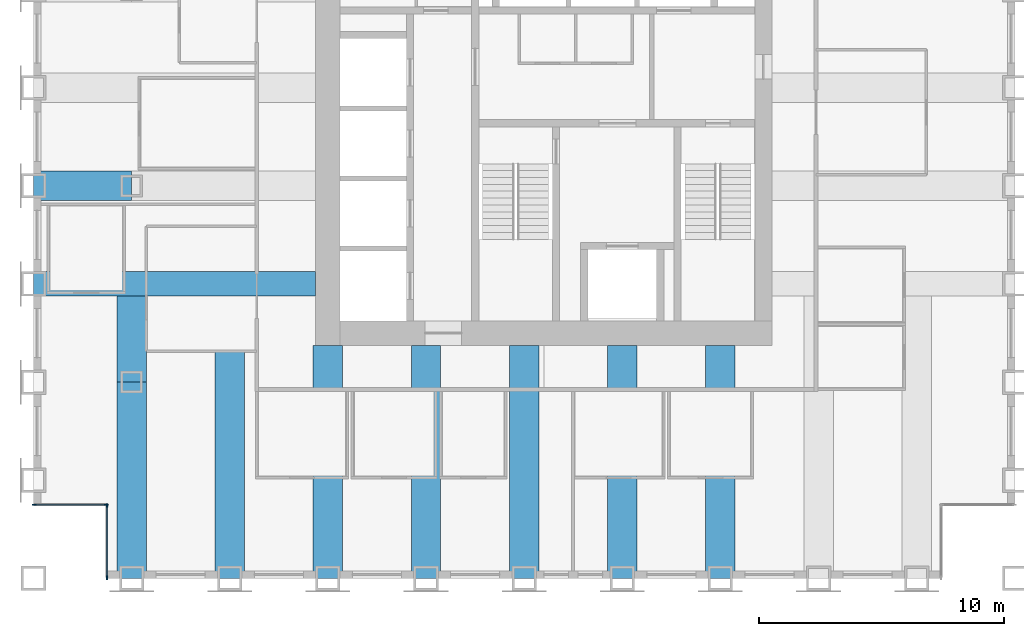
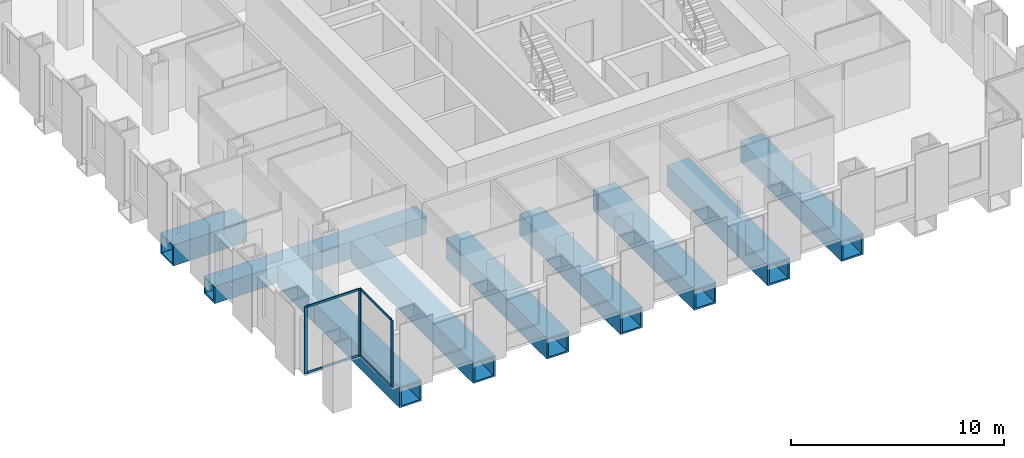
# One storey, part 2 of 13: 10 beams, 8 members, 2 elements without a shape of their own.
"""IFC4 building model written with IfcOpenShell, lengths in metres."""

from ifc_helpers import new_model, si_unit, direction, frame, origin, origin_2d, place, context, subcontext, project, spatial, rectangle, hollow_rectangle, extrude, material, material_profile, profile_set, type_object, element, aggregate, save


model = new_model("IFC4")

# Units and contexts
model_context = context("Model", 3, precision=1e-05, world=origin(), true_north=direction((0.0, 1.0)))
body_context = subcontext(model_context, "Body", "Model", "MODEL_VIEW")
ifc_project = project(units=[si_unit("LENGTHUNIT", "METRE"), si_unit("AREAUNIT", "SQUARE_METRE"), si_unit("VOLUMEUNIT", "CUBIC_METRE"), si_unit("PLANEANGLEUNIT", "RADIAN"), si_unit("MASSUNIT", "GRAM", prefix="KILO")], contexts=[model_context])

# Site, building, storey
site_placement = place(None, origin())
site = spatial("IfcSite", under=ifc_project, at=site_placement, CompositionType="ELEMENT")
building_placement = place(site_placement, origin())
building = spatial("IfcBuilding", under=site, at=building_placement, Name="Rimbunsela Tower", CompositionType="ELEMENT")
storey_placement = place(building_placement, frame((0.0, 0.0, 175.800048828125)))
storey = spatial("IfcBuildingStorey", under=building, at=storey_placement, Name="L42", CompositionType="ELEMENT", Elevation=175.800048828125)

# Beams
ifc_material_1 = material(Name="Steel BJ 55 (fy 410 MPa)", Category="steel")
ifc_material_profile_1 = material_profile(ifc_material_1, hollow_rectangle(XDim=1.0, YDim=1.0, WallThickness=0.10009765625, at=origin_2d()), Name="BOX 1000x1000x100")
ifc_profile_set_1 = profile_set([ifc_material_profile_1], Name="Steel BJ 55 (fy 410 MPa)")
beam_type_1 = type_object("IfcBeamType", Name="Beam BOX 1000x1000x100", PredefinedType="BEAM", material=ifc_profile_set_1)
beam_1_placement = place(storey_placement, frame((6.0, 20.0, -0.650146484375), z_axis=(1.0, 0.0, 0.0), x_axis=(0.0, 1.0, 0.0)))
element("IfcBeam", 1, at=beam_1_placement, inside=storey, type_object=beam_type_1, Name="Beam B3 L42", PredefinedType="BEAM", context=body_context, shape_type="SweptSolid", body=[
    extrude(hollow_rectangle(XDim=1.0, YDim=1.0, WallThickness=0.10009765625, at=origin_2d()), origin(), (0.0, 0.0, 1.0), 11.5),
])
ifc_material_2 = material(Name="Steel BJ 55 (fy 410 MPa)", Category="steel")
ifc_material_profile_2 = material_profile(ifc_material_2, hollow_rectangle(XDim=1.199951171875, YDim=1.199951171875, WallThickness=0.10009765625, at=origin_2d()), Name="BOX 1200x1200x100")
ifc_profile_set_2 = profile_set([ifc_material_profile_2], Name="Steel BJ 55 (fy 410 MPa)")
beam_type_2 = type_object("IfcBeamType", Name="Beam BOX 1200x1200x100", PredefinedType="BEAM", material=ifc_profile_set_2)
beam_2_placement = place(storey_placement, frame((6.0, 24.0, -0.75), z_axis=(1.0, 0.0, 0.0), x_axis=(0.0, 1.0, 0.0)))
element("IfcBeam", 2, at=beam_2_placement, inside=storey, type_object=beam_type_2, Name="Beam B5 L42", PredefinedType="BEAM", context=body_context, shape_type="SweptSolid", body=[
    extrude(hollow_rectangle(XDim=1.199951171875, YDim=1.199951171875, WallThickness=0.10009765625, at=origin_2d()), origin(), (0.0, 0.0, 1.0), 4.0),
])
beam_3_placement = place(storey_placement, frame((10.0, 8.0, -0.75), z_axis=(0.0, 1.0, 0.0), x_axis=(-1.0, 0.0, 0.0)))
element("IfcBeam", 3, at=beam_3_placement, inside=storey, type_object=beam_type_2, Name="Beam B5 L42", PredefinedType="BEAM", context=body_context, shape_type="SweptSolid", body=[
    extrude(hollow_rectangle(XDim=1.199951171875, YDim=1.199951171875, WallThickness=0.10009765625, at=origin_2d()), origin(), (0.0, 0.0, 1.0), 8.0),
])
beam_4_placement = place(storey_placement, frame((10.0, 16.0, -0.75), z_axis=(0.0, 1.0, 0.0), x_axis=(-1.0, 0.0, 0.0)))
element("IfcBeam", 4, at=beam_4_placement, inside=storey, type_object=beam_type_2, Name="Beam B5 L42", PredefinedType="BEAM", context=body_context, shape_type="SweptSolid", body=[
    extrude(hollow_rectangle(XDim=1.199951171875, YDim=1.199951171875, WallThickness=0.10009765625, at=origin_2d()), origin(), (0.0, 0.0, 1.0), 3.5),
])
beam_5_placement = place(storey_placement, frame((14.0, 8.0, -0.75), z_axis=(0.0, 1.0, 0.0), x_axis=(-1.0, 0.0, 0.0)))
element("IfcBeam", 5, at=beam_5_placement, inside=storey, type_object=beam_type_2, Name="Beam B5 L42", PredefinedType="BEAM", context=body_context, shape_type="SweptSolid", body=[
    extrude(hollow_rectangle(XDim=1.199951171875, YDim=1.199951171875, WallThickness=0.10009765625, at=origin_2d()), origin(), (0.0, 0.0, 1.0), 11.5),
])
for number, where, z_axis, x_axis, name in (
    (6, (18.0, 8.0, -0.75), (0.0, 1.0, 0.0), (-1.0, 0.0, 0.0), "Beam B5 L42"),
    (7, (22.0, 8.0, -0.75), (0.0, 1.0, 0.0), (-1.0, 0.0, 0.0), "Beam B5 L42"),
    (8, (26.0, 8.0, -0.75), (0.0, 1.0, 0.0), (-1.0, 0.0, 0.0), "Beam B5 L42"),
    (9, (30.0, 8.0, -0.75), (0.0, 1.0, 0.0), (-1.0, 0.0, 0.0), "Beam B5 L42"),
    (10, (34.0, 8.0, -0.75), (0.0, 1.0, 0.0), (-1.0, 0.0, 0.0), "Beam B5 L42"),
):
    element("IfcBeam", number, at=place(storey_placement, frame(where, z_axis=z_axis, x_axis=x_axis)), inside=storey, type_object=beam_type_2, Name=name, PredefinedType="BEAM", context=body_context, shape_type="SweptSolid", body=[
        extrude(hollow_rectangle(XDim=1.199951171875, YDim=1.199951171875, WallThickness=0.10009765625, at=origin_2d()), origin(), (0.0, 0.0, 1.0), 9.5),
    ])

# Curtain wall, members
ifc_material_3 = material(Name="Aluminium curtain wall", Category="aluminium")
curtain_wall_type = type_object("IfcCurtainWallType", Name="Corner glazing", PredefinedType="USERDEFINED", material=ifc_material_3)
curtain_wall_1_placement = place(storey_placement, origin())
curtain_wall_1 = element("IfcCurtainWall", 11, at=curtain_wall_1_placement, inside=storey, type_object=curtain_wall_type, Name="Corner glazing L42", ObjectType="CORNER GLAZING", PredefinedType="USERDEFINED")
ifc_material_4 = material(Name="Aluminium mullion", Category="aluminium")
ifc_material_profile_3 = material_profile(ifc_material_4, rectangle(XDim=0.06005859375, YDim=0.159912109375, at=origin_2d()), Name="Mullion 60x160")
ifc_profile_set_3 = profile_set([ifc_material_profile_3], Name="Aluminium mullion")
member_type_1 = type_object("IfcMemberType", Name="Curtain wall mullion 60x160", PredefinedType="MULLION", material=ifc_profile_set_3)
member_1_placement = place(storey_placement, frame((6.030029296875, 11.0, 0.0), z_axis=(0.0, 0.0, 1.0), x_axis=(0.0, 1.0, 0.0)))
member_1 = element("IfcMember", 12, at=member_1_placement, type_object=member_type_1, Name="CW5 mullion 1", PredefinedType="MULLION", context=body_context, shape_type="SweptSolid", body=[
    extrude(rectangle(XDim=0.06005859375, YDim=0.159912109375, at=origin_2d()), origin(), (0.0, 0.0, 1.0), 3.849853515625),
])
member_2_placement = place(storey_placement, frame((8.969970703125, 11.0, 0.0), z_axis=(0.0, 0.0, 1.0), x_axis=(0.0, 1.0, 0.0)))
member_2 = element("IfcMember", 13, at=member_2_placement, type_object=member_type_1, Name="CW5 mullion 2", PredefinedType="MULLION", context=body_context, shape_type="SweptSolid", body=[
    extrude(rectangle(XDim=0.06005859375, YDim=0.159912109375, at=origin_2d()), origin(), (0.0, 0.0, 1.0), 3.849853515625),
])

curtain_wall_2_placement = place(storey_placement, origin())
curtain_wall_2 = element("IfcCurtainWall", 14, at=curtain_wall_2_placement, inside=storey, type_object=curtain_wall_type, Name="Corner glazing L42", ObjectType="CORNER GLAZING", PredefinedType="USERDEFINED")
member_3_placement = place(storey_placement, frame((9.0, 10.969970703125, 0.0), z_axis=(0.0, 0.0, 1.0), x_axis=(1.0, 0.0, 0.0)))
member_3 = element("IfcMember", 15, at=member_3_placement, type_object=member_type_1, Name="CW5 mullion 1", PredefinedType="MULLION", context=body_context, shape_type="SweptSolid", body=[
    extrude(rectangle(XDim=0.06005859375, YDim=0.159912109375, at=origin_2d()), origin(), (0.0, 0.0, 1.0), 3.849853515625),
])
member_4_placement = place(storey_placement, frame((9.0, 8.030029296875, 0.0), z_axis=(0.0, 0.0, 1.0), x_axis=(1.0, 0.0, 0.0)))
member_4 = element("IfcMember", 16, at=member_4_placement, type_object=member_type_1, Name="CW5 mullion 2", PredefinedType="MULLION", context=body_context, shape_type="SweptSolid", body=[
    extrude(rectangle(XDim=0.06005859375, YDim=0.159912109375, at=origin_2d()), origin(), (0.0, 0.0, 1.0), 3.849853515625),
])

# Member
ifc_material_5 = material(Name="Aluminium transom", Category="aluminium")
ifc_material_profile_4 = material_profile(ifc_material_5, rectangle(XDim=0.06005859375, YDim=0.1201171875, at=origin_2d()), Name="Transom 60x120")
ifc_profile_set_4 = profile_set([ifc_material_profile_4], Name="Aluminium transom")
member_type_2 = type_object("IfcMemberType", Name="Curtain wall transom 60x120", PredefinedType="USERDEFINED", material=ifc_profile_set_4)
member_5_placement = place(storey_placement, frame((6.06005859375, 11.0, 0.030029296875), z_axis=(1.0, 0.0, 0.0), x_axis=(0.0, 1.0, 0.0)))
member_5 = element("IfcMember", 17, at=member_5_placement, type_object=member_type_2, Name="CW5 transom 1.1", ObjectType="TRANSOM", PredefinedType="USERDEFINED", context=body_context, shape_type="SweptSolid", body=[
    extrude(rectangle(XDim=0.06005859375, YDim=0.1201171875, at=origin_2d()), origin(), (0.0, 0.0, 1.0), 2.8798828125),
])

member_6_placement = place(storey_placement, frame((6.06005859375, 11.0, 3.820068359375), z_axis=(1.0, 0.0, 0.0), x_axis=(0.0, 1.0, 0.0)))
member_6 = element("IfcMember", 18, at=member_6_placement, type_object=member_type_2, Name="CW5 transom 1.2", ObjectType="TRANSOM", PredefinedType="USERDEFINED", context=body_context, shape_type="SweptSolid", body=[
    extrude(rectangle(XDim=0.06005859375, YDim=0.1201171875, at=origin_2d()), origin(), (0.0, 0.0, 1.0), 2.8798828125),
])

aggregate(curtain_wall_1, [member_1, member_2, member_5, member_6])

member_7_placement = place(storey_placement, frame((9.0, 10.93994140625, 0.030029296875), z_axis=(0.0, -1.0, 0.0), x_axis=(1.0, 0.0, 0.0)))
member_7 = element("IfcMember", 19, at=member_7_placement, type_object=member_type_2, Name="CW5 transom 1.1", ObjectType="TRANSOM", PredefinedType="USERDEFINED", context=body_context, shape_type="SweptSolid", body=[
    extrude(rectangle(XDim=0.06005859375, YDim=0.1201171875, at=origin_2d()), origin(), (0.0, 0.0, 1.0), 2.8798828125),
])

member_8_placement = place(storey_placement, frame((9.0, 10.93994140625, 3.820068359375), z_axis=(0.0, -1.0, 0.0), x_axis=(1.0, 0.0, 0.0)))
member_8 = element("IfcMember", 20, at=member_8_placement, type_object=member_type_2, Name="CW5 transom 1.2", ObjectType="TRANSOM", PredefinedType="USERDEFINED", context=body_context, shape_type="SweptSolid", body=[
    extrude(rectangle(XDim=0.06005859375, YDim=0.1201171875, at=origin_2d()), origin(), (0.0, 0.0, 1.0), 2.8798828125),
])

aggregate(curtain_wall_2, [member_3, member_4, member_7, member_8])

save(model, "model.ifc")
